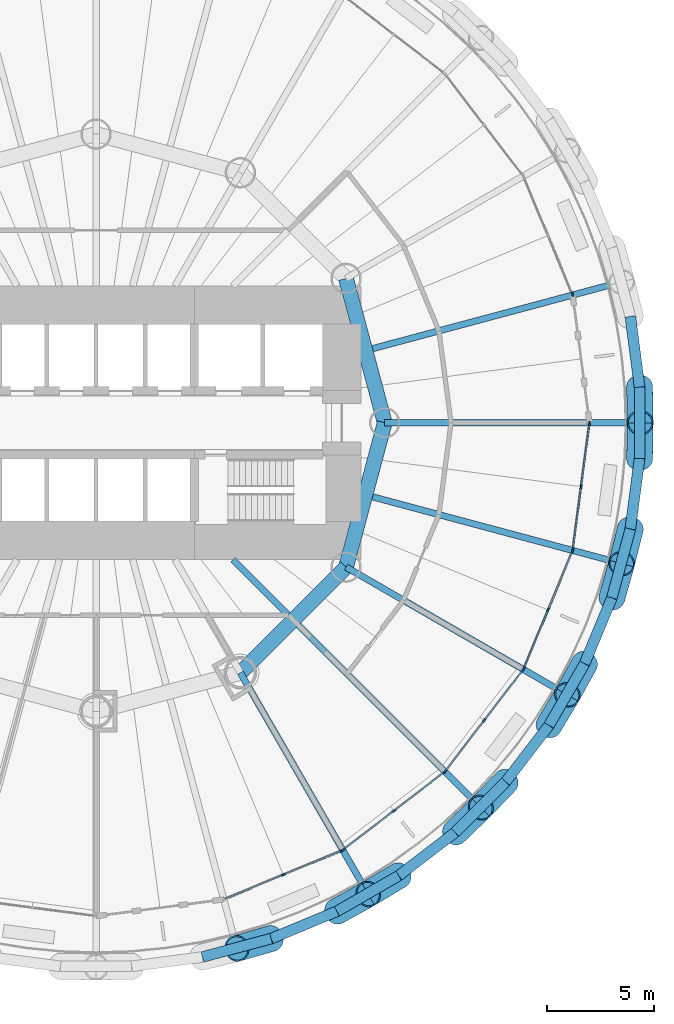
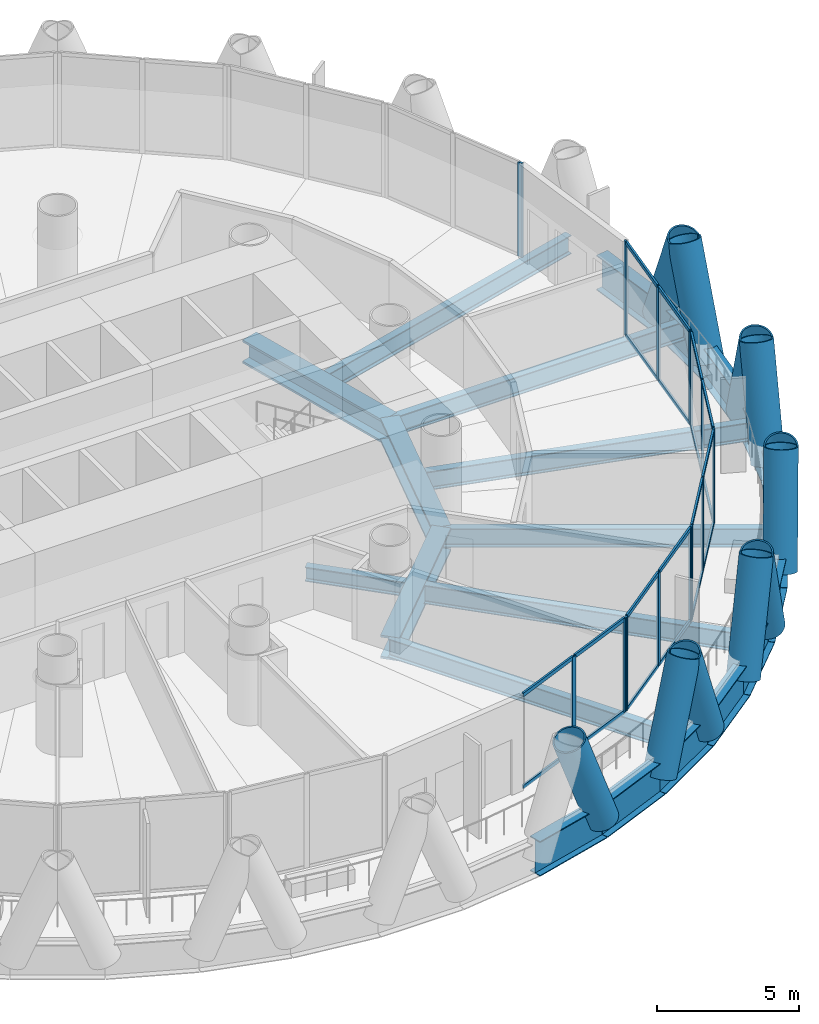
# One storey, part 4 of 16: 46 members, 22 beams, 6 elements without a shape of their own.
"""IFC4 building model written with IfcOpenShell, lengths in metres."""

from ifc_helpers import new_model, si_unit, direction, frame, origin, origin_2d, place, context, subcontext, project, spatial, rectangle, hollow_circle, i_section, extrude, material, material_profile, profile_set, type_object, element, aggregate, save


model = new_model("IFC4")

# Units and contexts
model_context = context("Model", 3, precision=1e-05, world=origin(), true_north=direction((0.0, 1.0)))
body_context = subcontext(model_context, "Body", "Model", "MODEL_VIEW")
ifc_project = project(units=[si_unit("LENGTHUNIT", "METRE"), si_unit("AREAUNIT", "SQUARE_METRE"), si_unit("VOLUMEUNIT", "CUBIC_METRE"), si_unit("PLANEANGLEUNIT", "RADIAN"), si_unit("MASSUNIT", "GRAM", prefix="KILO")], contexts=[model_context])

# Site, building, storey
site_placement = place(None, origin())
site = spatial("IfcSite", under=ifc_project, at=site_placement, CompositionType="ELEMENT")
building_placement = place(site_placement, origin())
building = spatial("IfcBuilding", under=site, at=building_placement, Name="Qaws Media Tower", CompositionType="ELEMENT")
storey_placement = place(building_placement, frame((0.0, 0.0, 89.0)))
storey = spatial("IfcBuildingStorey", under=building, at=storey_placement, Name="L19", CompositionType="ELEMENT", Elevation=89.0)

# Curtain wall, member
ifc_material_1 = material(Name="Aluminium and clear glass", Category="aluminium")
curtain_wall_type = type_object("IfcCurtainWallType", Name="Unitised curtain wall CW-A", PredefinedType="NOTDEFINED", material=ifc_material_1)
curtain_wall_1_placement = place(storey_placement, origin())
curtain_wall_1 = element("IfcCurtainWall", 1, at=curtain_wall_1_placement, inside=storey, type_object=curtain_wall_type, Name="CWA curtain wall L19-02", PredefinedType="NOTDEFINED")
ifc_material_2 = material(Name="Aluminium mullion", Category="aluminium")
ifc_material_profile_1 = material_profile(ifc_material_2, rectangle(XDim=0.080078125, YDim=0.199951171875, at=origin_2d()), Name="80x200")
ifc_profile_set_1 = profile_set([ifc_material_profile_1], Name="Aluminium mullion")
member_type_1 = type_object("IfcMemberType", Name="Curtain wall mullion 80x200", PredefinedType="MULLION", material=ifc_profile_set_1)
member_1_placement = place(storey_placement, frame((82.2734375, 56.00927734375, 0.0), z_axis=(0.0, 0.0, 1.0), x_axis=(-0.923879558466, -0.382683369704, 0.0)))
member_1 = element("IfcMember", 2, at=member_1_placement, type_object=member_type_1, Name="CWA mullion 1", PredefinedType="MULLION", context=body_context, shape_type="SweptSolid", body=[
    extrude(rectangle(XDim=0.080078125, YDim=0.199951171875, at=origin_2d()), origin(), (0.0, 0.0, 1.0), 4.0400390625),
])
aggregate(curtain_wall_1, [member_1])

# Curtain wall, members
curtain_wall_2_placement = place(storey_placement, origin())
curtain_wall_2 = element("IfcCurtainWall", 3, at=curtain_wall_2_placement, inside=storey, type_object=curtain_wall_type, Name="CWA curtain wall L19-20", PredefinedType="NOTDEFINED")
member_2_placement = place(storey_placement, frame((68.7548828125, 28.86376953125, 0.0), z_axis=(0.0, 0.0, 1.0), x_axis=(-0.382683369704, 0.923879558466, 0.0)))
member_2 = element("IfcMember", 4, at=member_2_placement, type_object=member_type_1, Name="CWA mullion 2", PredefinedType="MULLION", context=body_context, shape_type="SweptSolid", body=[
    extrude(rectangle(XDim=0.080078125, YDim=0.199951171875, at=origin_2d()), origin(), (0.0, 0.0, 1.0), 4.0400390625),
])
member_3_placement = place(storey_placement, frame((71.50048828125, 30.001220703125, 0.0), z_axis=(0.0, 0.0, 1.0), x_axis=(-0.382683369704, 0.923879558466, 0.0)))
member_3 = element("IfcMember", 5, at=member_3_placement, type_object=member_type_1, Name="CWA mullion 3", PredefinedType="MULLION", context=body_context, shape_type="SweptSolid", body=[
    extrude(rectangle(XDim=0.080078125, YDim=0.199951171875, at=origin_2d()), origin(), (0.0, 0.0, 1.0), 4.0400390625),
])

curtain_wall_3_placement = place(storey_placement, origin())
curtain_wall_3 = element("IfcCurtainWall", 6, at=curtain_wall_3_placement, inside=storey, type_object=curtain_wall_type, Name="CWA curtain wall L19-21", PredefinedType="NOTDEFINED")
member_4_placement = place(storey_placement, frame((71.5693359375, 30.040771484375, 0.0), z_axis=(0.0, 0.0, 1.0), x_axis=(-0.608761404459, 0.793353359129, 0.0)))
member_4 = element("IfcMember", 7, at=member_4_placement, type_object=member_type_1, Name="CWA mullion 1", PredefinedType="MULLION", context=body_context, shape_type="SweptSolid", body=[
    extrude(rectangle(XDim=0.080078125, YDim=0.199951171875, at=origin_2d()), origin(), (0.0, 0.0, 1.0), 4.0400390625),
])
member_5_placement = place(storey_placement, frame((73.927001953125, 31.85009765625, 0.0), z_axis=(0.0, 0.0, 1.0), x_axis=(-0.608761404459, 0.793353359129, 0.0)))
member_5 = element("IfcMember", 8, at=member_5_placement, type_object=member_type_1, Name="CWA mullion 2", PredefinedType="MULLION", context=body_context, shape_type="SweptSolid", body=[
    extrude(rectangle(XDim=0.080078125, YDim=0.199951171875, at=origin_2d()), origin(), (0.0, 0.0, 1.0), 4.0400390625),
])
member_6_placement = place(storey_placement, frame((76.28466796875, 33.6591796875, 0.0), z_axis=(0.0, 0.0, 1.0), x_axis=(-0.608761404459, 0.793353359129, 0.0)))
member_6 = element("IfcMember", 9, at=member_6_placement, type_object=member_type_1, Name="CWA mullion 3", PredefinedType="MULLION", context=body_context, shape_type="SweptSolid", body=[
    extrude(rectangle(XDim=0.080078125, YDim=0.199951171875, at=origin_2d()), origin(), (0.0, 0.0, 1.0), 4.0400390625),
])

curtain_wall_4_placement = place(storey_placement, origin())
curtain_wall_4 = element("IfcCurtainWall", 10, at=curtain_wall_4_placement, inside=storey, type_object=curtain_wall_type, Name="CWA curtain wall L19-22", PredefinedType="NOTDEFINED")
member_7_placement = place(storey_placement, frame((76.3408203125, 33.71533203125, 0.0), z_axis=(0.0, 0.0, 1.0), x_axis=(-0.793353359129, 0.608761404459, 0.0)))
member_7 = element("IfcMember", 11, at=member_7_placement, type_object=member_type_1, Name="CWA mullion 1", PredefinedType="MULLION", context=body_context, shape_type="SweptSolid", body=[
    extrude(rectangle(XDim=0.080078125, YDim=0.199951171875, at=origin_2d()), origin(), (0.0, 0.0, 1.0), 4.0400390625),
])
member_8_placement = place(storey_placement, frame((78.14990234375, 36.072998046875, 0.0), z_axis=(0.0, 0.0, 1.0), x_axis=(-0.793353359129, 0.608761404459, 0.0)))
member_8 = element("IfcMember", 12, at=member_8_placement, type_object=member_type_1, Name="CWA mullion 2", PredefinedType="MULLION", context=body_context, shape_type="SweptSolid", body=[
    extrude(rectangle(XDim=0.080078125, YDim=0.199951171875, at=origin_2d()), origin(), (0.0, 0.0, 1.0), 4.0400390625),
])
member_9_placement = place(storey_placement, frame((79.959228515625, 38.4306640625, 0.0), z_axis=(0.0, 0.0, 1.0), x_axis=(-0.793353359129, 0.608761404459, 0.0)))
member_9 = element("IfcMember", 13, at=member_9_placement, type_object=member_type_1, Name="CWA mullion 3", PredefinedType="MULLION", context=body_context, shape_type="SweptSolid", body=[
    extrude(rectangle(XDim=0.080078125, YDim=0.199951171875, at=origin_2d()), origin(), (0.0, 0.0, 1.0), 4.0400390625),
])

curtain_wall_5_placement = place(storey_placement, origin())
curtain_wall_5 = element("IfcCurtainWall", 14, at=curtain_wall_5_placement, inside=storey, type_object=curtain_wall_type, Name="CWA curtain wall L19-23", PredefinedType="NOTDEFINED")
member_10_placement = place(storey_placement, frame((79.998779296875, 38.49951171875, 0.0), z_axis=(0.0, 0.0, 1.0), x_axis=(-0.923879558466, 0.382683369704, 0.0)))
member_10 = element("IfcMember", 15, at=member_10_placement, type_object=member_type_1, Name="CWA mullion 1", PredefinedType="MULLION", context=body_context, shape_type="SweptSolid", body=[
    extrude(rectangle(XDim=0.080078125, YDim=0.199951171875, at=origin_2d()), origin(), (0.0, 0.0, 1.0), 4.0400390625),
])
member_11_placement = place(storey_placement, frame((81.13623046875, 41.2451171875, 0.0), z_axis=(0.0, 0.0, 1.0), x_axis=(-0.923879558466, 0.382683369704, 0.0)))
member_11 = element("IfcMember", 16, at=member_11_placement, type_object=member_type_1, Name="CWA mullion 2", PredefinedType="MULLION", context=body_context, shape_type="SweptSolid", body=[
    extrude(rectangle(XDim=0.080078125, YDim=0.199951171875, at=origin_2d()), origin(), (0.0, 0.0, 1.0), 4.0400390625),
])
member_12_placement = place(storey_placement, frame((82.2734375, 43.99072265625, 0.0), z_axis=(0.0, 0.0, 1.0), x_axis=(-0.923879558466, 0.382683369704, 0.0)))
member_12 = element("IfcMember", 17, at=member_12_placement, type_object=member_type_1, Name="CWA mullion 3", PredefinedType="MULLION", context=body_context, shape_type="SweptSolid", body=[
    extrude(rectangle(XDim=0.080078125, YDim=0.199951171875, at=origin_2d()), origin(), (0.0, 0.0, 1.0), 4.0400390625),
])

curtain_wall_6_placement = place(storey_placement, origin())
curtain_wall_6 = element("IfcCurtainWall", 18, at=curtain_wall_6_placement, inside=storey, type_object=curtain_wall_type, Name="CWA curtain wall L19-24", PredefinedType="NOTDEFINED")
member_13_placement = place(storey_placement, frame((82.2939453125, 44.0673828125, 0.0), z_axis=(0.0, 0.0, 1.0), x_axis=(-0.991444850569, 0.130526274293, 0.0)))
member_13 = element("IfcMember", 19, at=member_13_placement, type_object=member_type_1, Name="CWA mullion 1", PredefinedType="MULLION", context=body_context, shape_type="SweptSolid", body=[
    extrude(rectangle(XDim=0.080078125, YDim=0.199951171875, at=origin_2d()), origin(), (0.0, 0.0, 1.0), 4.0400390625),
])
member_14_placement = place(storey_placement, frame((82.681884765625, 47.013916015625, 0.0), z_axis=(0.0, 0.0, 1.0), x_axis=(-0.991444850569, 0.130526274293, 0.0)))
member_14 = element("IfcMember", 20, at=member_14_placement, type_object=member_type_1, Name="CWA mullion 2", PredefinedType="MULLION", context=body_context, shape_type="SweptSolid", body=[
    extrude(rectangle(XDim=0.080078125, YDim=0.199951171875, at=origin_2d()), origin(), (0.0, 0.0, 1.0), 4.0400390625),
])
member_15_placement = place(storey_placement, frame((83.06982421875, 49.96044921875, 0.0), z_axis=(0.0, 0.0, 1.0), x_axis=(-0.991444850569, 0.130526274293, 0.0)))
member_15 = element("IfcMember", 21, at=member_15_placement, type_object=member_type_1, Name="CWA mullion 3", PredefinedType="MULLION", context=body_context, shape_type="SweptSolid", body=[
    extrude(rectangle(XDim=0.080078125, YDim=0.199951171875, at=origin_2d()), origin(), (0.0, 0.0, 1.0), 4.0400390625),
])

# Member
ifc_material_3 = material(Name="Aluminium transom", Category="aluminium")
ifc_material_profile_2 = material_profile(ifc_material_3, rectangle(XDim=0.080078125, YDim=0.159912109375, at=origin_2d()), Name="80x160")
ifc_profile_set_2 = profile_set([ifc_material_profile_2], Name="Aluminium transom")
member_type_2 = type_object("IfcMemberType", Name="Curtain wall transom 80x160", PredefinedType="USERDEFINED", material=ifc_profile_set_2)
member_16_placement = place(storey_placement, frame((66.046142578125, 27.741943359375, 0.0400390625), z_axis=(0.923884105755, 0.382672391391, 0.0), x_axis=(-0.382672391391, 0.923884105755, 0.0)))
member_16 = element("IfcMember", 22, at=member_16_placement, type_object=member_type_2, Name="CWA transom 1.1", ObjectType="TRANSOM", PredefinedType="USERDEFINED", context=body_context, shape_type="SweptSolid", body=[
    extrude(rectangle(XDim=0.080078125, YDim=0.159912109375, at=origin_2d()), origin(), (0.0, 0.0, 1.0), 2.89208984375),
])

member_17_placement = place(storey_placement, frame((66.046142578125, 27.741943359375, 4.0), z_axis=(0.923884105755, 0.382672391391, 0.0), x_axis=(-0.382672391391, 0.923884105755, 0.0)))
member_17 = element("IfcMember", 23, at=member_17_placement, type_object=member_type_2, Name="CWA transom 1.2", ObjectType="TRANSOM", PredefinedType="USERDEFINED", context=body_context, shape_type="SweptSolid", body=[
    extrude(rectangle(XDim=0.080078125, YDim=0.159912109375, at=origin_2d()), origin(), (0.0, 0.0, 1.0), 2.89208984375),
])

member_18_placement = place(storey_placement, frame((68.791748046875, 28.879150390625, 0.0400390625), z_axis=(0.923884105755, 0.382672391391, 0.0), x_axis=(-0.382672391391, 0.923884105755, 0.0)))
member_18 = element("IfcMember", 24, at=member_18_placement, type_object=member_type_2, Name="CWA transom 2.1", ObjectType="TRANSOM", PredefinedType="USERDEFINED", context=body_context, shape_type="SweptSolid", body=[
    extrude(rectangle(XDim=0.080078125, YDim=0.159912109375, at=origin_2d()), origin(), (0.0, 0.0, 1.0), 2.89208984375),
])

member_19_placement = place(storey_placement, frame((68.791748046875, 28.879150390625, 4.0), z_axis=(0.923884105755, 0.382672391391, 0.0), x_axis=(-0.382672391391, 0.923884105755, 0.0)))
member_19 = element("IfcMember", 25, at=member_19_placement, type_object=member_type_2, Name="CWA transom 2.2", ObjectType="TRANSOM", PredefinedType="USERDEFINED", context=body_context, shape_type="SweptSolid", body=[
    extrude(rectangle(XDim=0.080078125, YDim=0.159912109375, at=origin_2d()), origin(), (0.0, 0.0, 1.0), 2.89208984375),
])

aggregate(curtain_wall_2, [member_2, member_3, member_16, member_17, member_18, member_19])

member_20_placement = place(storey_placement, frame((71.60107421875, 30.065185546875, 0.0400390625), z_axis=(0.793335876774, 0.608784187232, 0.0), x_axis=(-0.608784187232, 0.793335876774, 0.0)))
member_20 = element("IfcMember", 26, at=member_20_placement, type_object=member_type_2, Name="CWA transom 1.1", ObjectType="TRANSOM", PredefinedType="USERDEFINED", context=body_context, shape_type="SweptSolid", body=[
    extrude(rectangle(XDim=0.080078125, YDim=0.159912109375, at=origin_2d()), origin(), (0.0, 0.0, 1.0), 2.891845703125),
])

member_21_placement = place(storey_placement, frame((71.60107421875, 30.065185546875, 4.0), z_axis=(0.793335876774, 0.608784187232, 0.0), x_axis=(-0.608784187232, 0.793335876774, 0.0)))
member_21 = element("IfcMember", 27, at=member_21_placement, type_object=member_type_2, Name="CWA transom 1.2", ObjectType="TRANSOM", PredefinedType="USERDEFINED", context=body_context, shape_type="SweptSolid", body=[
    extrude(rectangle(XDim=0.080078125, YDim=0.159912109375, at=origin_2d()), origin(), (0.0, 0.0, 1.0), 2.891845703125),
])

member_22_placement = place(storey_placement, frame((73.958740234375, 31.874267578125, 0.0400390625), z_axis=(0.793335876774, 0.608784187232, 0.0), x_axis=(-0.608784187232, 0.793335876774, 0.0)))
member_22 = element("IfcMember", 28, at=member_22_placement, type_object=member_type_2, Name="CWA transom 2.1", ObjectType="TRANSOM", PredefinedType="USERDEFINED", context=body_context, shape_type="SweptSolid", body=[
    extrude(rectangle(XDim=0.080078125, YDim=0.159912109375, at=origin_2d()), origin(), (0.0, 0.0, 1.0), 2.891845703125),
])

member_23_placement = place(storey_placement, frame((73.958740234375, 31.874267578125, 4.0), z_axis=(0.793335876774, 0.608784187232, 0.0), x_axis=(-0.608784187232, 0.793335876774, 0.0)))
member_23 = element("IfcMember", 29, at=member_23_placement, type_object=member_type_2, Name="CWA transom 2.2", ObjectType="TRANSOM", PredefinedType="USERDEFINED", context=body_context, shape_type="SweptSolid", body=[
    extrude(rectangle(XDim=0.080078125, YDim=0.159912109375, at=origin_2d()), origin(), (0.0, 0.0, 1.0), 2.891845703125),
])

aggregate(curtain_wall_3, [member_4, member_5, member_6, member_20, member_21, member_22, member_23])

member_24_placement = place(storey_placement, frame((76.365234375, 33.7470703125, 0.0400390625), z_axis=(0.608784187232, 0.793335876774, 0.0), x_axis=(-0.793335876774, 0.608784187232, 0.0)))
member_24 = element("IfcMember", 30, at=member_24_placement, type_object=member_type_2, Name="CWA transom 1.1", ObjectType="TRANSOM", PredefinedType="USERDEFINED", context=body_context, shape_type="SweptSolid", body=[
    extrude(rectangle(XDim=0.080078125, YDim=0.159912109375, at=origin_2d()), origin(), (0.0, 0.0, 1.0), 2.891845703125),
])

member_25_placement = place(storey_placement, frame((76.365234375, 33.7470703125, 4.0), z_axis=(0.608784187232, 0.793335876774, 0.0), x_axis=(-0.793335876774, 0.608784187232, 0.0)))
member_25 = element("IfcMember", 31, at=member_25_placement, type_object=member_type_2, Name="CWA transom 1.2", ObjectType="TRANSOM", PredefinedType="USERDEFINED", context=body_context, shape_type="SweptSolid", body=[
    extrude(rectangle(XDim=0.080078125, YDim=0.159912109375, at=origin_2d()), origin(), (0.0, 0.0, 1.0), 2.891845703125),
])

member_26_placement = place(storey_placement, frame((78.17431640625, 36.104736328125, 0.0400390625), z_axis=(0.608784187232, 0.793335876774, 0.0), x_axis=(-0.793335876774, 0.608784187232, 0.0)))
member_26 = element("IfcMember", 32, at=member_26_placement, type_object=member_type_2, Name="CWA transom 2.1", ObjectType="TRANSOM", PredefinedType="USERDEFINED", context=body_context, shape_type="SweptSolid", body=[
    extrude(rectangle(XDim=0.080078125, YDim=0.159912109375, at=origin_2d()), origin(), (0.0, 0.0, 1.0), 2.891845703125),
])

member_27_placement = place(storey_placement, frame((78.17431640625, 36.104736328125, 4.0), z_axis=(0.608784187232, 0.793335876774, 0.0), x_axis=(-0.793335876774, 0.608784187232, 0.0)))
member_27 = element("IfcMember", 33, at=member_27_placement, type_object=member_type_2, Name="CWA transom 2.2", ObjectType="TRANSOM", PredefinedType="USERDEFINED", context=body_context, shape_type="SweptSolid", body=[
    extrude(rectangle(XDim=0.080078125, YDim=0.159912109375, at=origin_2d()), origin(), (0.0, 0.0, 1.0), 2.891845703125),
])

aggregate(curtain_wall_4, [member_7, member_8, member_9, member_24, member_25, member_26, member_27])

member_28_placement = place(storey_placement, frame((80.01416015625, 38.536376953125, 0.0400390625), z_axis=(0.382672391391, 0.923884105755, 0.0), x_axis=(-0.923884105755, 0.382672391391, 0.0)))
member_28 = element("IfcMember", 34, at=member_28_placement, type_object=member_type_2, Name="CWA transom 1.1", ObjectType="TRANSOM", PredefinedType="USERDEFINED", context=body_context, shape_type="SweptSolid", body=[
    extrude(rectangle(XDim=0.080078125, YDim=0.159912109375, at=origin_2d()), origin(), (0.0, 0.0, 1.0), 2.89208984375),
])

member_29_placement = place(storey_placement, frame((80.01416015625, 38.536376953125, 4.0), z_axis=(0.382672391391, 0.923884105755, 0.0), x_axis=(-0.923884105755, 0.382672391391, 0.0)))
member_29 = element("IfcMember", 35, at=member_29_placement, type_object=member_type_2, Name="CWA transom 1.2", ObjectType="TRANSOM", PredefinedType="USERDEFINED", context=body_context, shape_type="SweptSolid", body=[
    extrude(rectangle(XDim=0.080078125, YDim=0.159912109375, at=origin_2d()), origin(), (0.0, 0.0, 1.0), 2.89208984375),
])

member_30_placement = place(storey_placement, frame((81.1513671875, 41.281982421875, 0.0400390625), z_axis=(0.382672391391, 0.923884105755, 0.0), x_axis=(-0.923884105755, 0.382672391391, 0.0)))
member_30 = element("IfcMember", 36, at=member_30_placement, type_object=member_type_2, Name="CWA transom 2.1", ObjectType="TRANSOM", PredefinedType="USERDEFINED", context=body_context, shape_type="SweptSolid", body=[
    extrude(rectangle(XDim=0.080078125, YDim=0.159912109375, at=origin_2d()), origin(), (0.0, 0.0, 1.0), 2.89208984375),
])

member_31_placement = place(storey_placement, frame((81.1513671875, 41.281982421875, 4.0), z_axis=(0.382672391391, 0.923884105755, 0.0), x_axis=(-0.923884105755, 0.382672391391, 0.0)))
member_31 = element("IfcMember", 37, at=member_31_placement, type_object=member_type_2, Name="CWA transom 2.2", ObjectType="TRANSOM", PredefinedType="USERDEFINED", context=body_context, shape_type="SweptSolid", body=[
    extrude(rectangle(XDim=0.080078125, YDim=0.159912109375, at=origin_2d()), origin(), (0.0, 0.0, 1.0), 2.89208984375),
])

aggregate(curtain_wall_5, [member_10, member_11, member_12, member_28, member_29, member_30, member_31])

member_32_placement = place(storey_placement, frame((82.299072265625, 44.107177734375, 0.0400390625), z_axis=(0.130609572784, 0.991433880547, 0.0), x_axis=(-0.991433880547, 0.130609572784, 0.0)))
member_32 = element("IfcMember", 38, at=member_32_placement, type_object=member_type_2, Name="CWA transom 1.1", ObjectType="TRANSOM", PredefinedType="USERDEFINED", context=body_context, shape_type="SweptSolid", body=[
    extrude(rectangle(XDim=0.080078125, YDim=0.159912109375, at=origin_2d()), origin(), (0.0, 0.0, 1.0), 2.8916015625),
])

member_33_placement = place(storey_placement, frame((82.299072265625, 44.107177734375, 4.0), z_axis=(0.130609572784, 0.991433880547, 0.0), x_axis=(-0.991433880547, 0.130609572784, 0.0)))
member_33 = element("IfcMember", 39, at=member_33_placement, type_object=member_type_2, Name="CWA transom 1.2", ObjectType="TRANSOM", PredefinedType="USERDEFINED", context=body_context, shape_type="SweptSolid", body=[
    extrude(rectangle(XDim=0.080078125, YDim=0.159912109375, at=origin_2d()), origin(), (0.0, 0.0, 1.0), 2.8916015625),
])

member_34_placement = place(storey_placement, frame((82.68701171875, 47.053466796875, 0.0400390625), z_axis=(0.130515659015, 0.99144624804, 0.0), x_axis=(-0.99144624804, 0.130515659015, 0.0)))
member_34 = element("IfcMember", 40, at=member_34_placement, type_object=member_type_2, Name="CWA transom 2.1", ObjectType="TRANSOM", PredefinedType="USERDEFINED", context=body_context, shape_type="SweptSolid", body=[
    extrude(rectangle(XDim=0.080078125, YDim=0.159912109375, at=origin_2d()), origin(), (0.0, 0.0, 1.0), 2.891845703125),
])

member_35_placement = place(storey_placement, frame((82.68701171875, 47.053466796875, 4.0), z_axis=(0.130515659015, 0.99144624804, 0.0), x_axis=(-0.99144624804, 0.130515659015, 0.0)))
member_35 = element("IfcMember", 41, at=member_35_placement, type_object=member_type_2, Name="CWA transom 2.2", ObjectType="TRANSOM", PredefinedType="USERDEFINED", context=body_context, shape_type="SweptSolid", body=[
    extrude(rectangle(XDim=0.080078125, YDim=0.159912109375, at=origin_2d()), origin(), (0.0, 0.0, 1.0), 2.891845703125),
])

aggregate(curtain_wall_6, [member_13, member_14, member_15, member_32, member_33, member_34, member_35])

# Members
ifc_material_4 = material(Name="Steel S460", Category="steel")
ifc_material_profile_3 = material_profile(ifc_material_4, hollow_circle(Radius=0.609619140625, WallThickness=0.06005859375, at=origin_2d()), Name="CHS 1219x60")
ifc_profile_set_3 = profile_set([ifc_material_profile_3], Name="Steel S460")
member_type_3 = type_object("IfcMemberType", Name="Diagrid member CHS 1219x60", PredefinedType="USERDEFINED", material=ifc_profile_set_3)
for number, where, z_axis, x_axis, name in (
    (42, (85.42041015625, 51.666259765625, -0.909912109375), (0.006537785843, -0.368763540313, 0.929500246741), (0.999842879422, 0.017726152148, 0.0), "DG1 diagrid L19 B01"),
    (43, (71.267333984375, 27.152099609375, -0.909912109375), (0.322620613661, 0.178735386031, 0.929499651114), (-0.484610207242, 0.874730213858, 0.0), "DG1 diagrid L19 A20"),
    (44, (68.188720703125, 25.876953125, -0.909912109375), (-0.354500758165, -0.101741339373, 0.929504121736), (0.275862541191, -0.961197096525, 0.0), "DG1 diagrid L19 B20"),
    (45, (76.796875, 30.846923828125, -0.909912109375), (0.265351429728, 0.256111948057, 0.929513468866), (-0.694468998313, 0.719522626734, 0.0), "DG1 diagrid L19 A21"),
):
    element("IfcMember", number, at=place(storey_placement, frame(where, z_axis=z_axis, x_axis=x_axis)), inside=storey, type_object=member_type_3, Name=name, ObjectType="DIAGRID", PredefinedType="USERDEFINED", context=body_context, shape_type="SweptSolid", body=[
        extrude(hollow_circle(Radius=0.609619140625, WallThickness=0.06005859375, at=origin_2d()), origin(), (0.0, 0.0, 1.0), 4.5185546875),
    ])
for number, where, z_axis, x_axis, name in (
    (46, (74.153076171875, 28.818359375, -0.909912109375), (-0.316036004254, -0.190032249438, 0.929520837953), (0.515314314631, -0.857001258538, 0.0), "DG1 diagrid L19 B21"),
    (47, (81.181640625, 35.846923828125, -0.909912109375), (0.190032249438, 0.316036004254, 0.929520837953), (-0.857001258538, 0.515314314631, 0.0), "DG1 diagrid L19 A22"),
):
    element("IfcMember", number, at=place(storey_placement, frame(where, z_axis=z_axis, x_axis=x_axis)), inside=storey, type_object=member_type_3, Name=name, ObjectType="DIAGRID", PredefinedType="USERDEFINED", context=body_context, shape_type="SweptSolid", body=[
        extrude(hollow_circle(Radius=0.609619140625, WallThickness=0.06005859375, at=origin_2d()), origin(), (0.0, 0.0, 1.0), 4.518310546875),
    ])
for number, where, z_axis, x_axis, name in (
    (48, (79.153076171875, 33.203125, -0.909912109375), (-0.256111948057, -0.265351429728, 0.929513468866), (0.719522626734, -0.694468998313, 0.0), "DG1 diagrid L19 B22"),
    (49, (84.123046875, 41.811279296875, -0.909912109375), (0.101741339373, 0.354500758165, 0.929504121736), (-0.961197096525, 0.275862541191, 0.0), "DG1 diagrid L19 A23"),
    (50, (82.847900390625, 38.732666015625, -0.909912109375), (-0.178735386031, -0.322620613661, 0.929499651114), (0.874730213858, -0.484610207242, 0.0), "DG1 diagrid L19 B23"),
    (51, (85.42041015625, 48.333740234375, -0.909912109375), (0.006537785843, 0.368763540313, 0.929500246741), (-0.999842879422, 0.017726152148, 0.0), "DG1 diagrid L19 A24"),
    (52, (84.985595703125, 45.030029296875, -0.909912109375), (-0.089152749117, -0.357853731759, 0.929511965491), (0.970340396506, -0.241742662575, 0.0), "DG1 diagrid L19 B24"),
):
    element("IfcMember", number, at=place(storey_placement, frame(where, z_axis=z_axis, x_axis=x_axis)), inside=storey, type_object=member_type_3, Name=name, ObjectType="DIAGRID", PredefinedType="USERDEFINED", context=body_context, shape_type="SweptSolid", body=[
        extrude(hollow_circle(Radius=0.609619140625, WallThickness=0.06005859375, at=origin_2d()), origin(), (0.0, 0.0, 1.0), 4.5185546875),
    ])

# Beams
ifc_material_5 = material(Name="Steel S460", Category="steel")
ifc_material_profile_4 = material_profile(ifc_material_5, i_section(OverallWidth=0.5, OverallDepth=1.5, WebThickness=0.02001953125, FlangeThickness=0.0400390625, at=origin_2d()), Name="PG 1500x500")
ifc_profile_set_4 = profile_set([ifc_material_profile_4], Name="Steel S460")
beam_type_1 = type_object("IfcBeamType", Name="Edge ring beam PG 1500x500", PredefinedType="BEAM", material=ifc_profile_set_4)
for number, where, z_axis, x_axis, name in (
    (53, (85.42041015625, 51.666259765625, -0.909912109375), (-0.130488627311, 0.991449806164, 0.0), (-0.991449806164, -0.130488627311, 0.0), "RB4 edge ring beam L19-01"),
    (54, (64.969970703125, 25.014404296875, -0.909912109375), (0.965919271608, 0.258843506265, 0.0), (-0.258843506265, 0.965919271608, 0.0), "RB4 edge ring beam L19-38"),
    (55, (68.188720703125, 25.876953125, -0.909912109375), (0.923885568465, 0.38266885996, 0.0), (-0.38266885996, 0.923885568465, 0.0), "RB4 edge ring beam L19-39"),
    (56, (71.267333984375, 27.152099609375, -0.909912109375), (0.866002566612, 0.500039553057, 0.0), (-0.500039553057, 0.866002566612, 0.0), "RB4 edge ring beam L19-40"),
    (57, (74.153076171875, 28.818359375, -0.909912109375), (0.793366925649, 0.608743723817, 0.0), (-0.608743723817, 0.793366925649, 0.0), "RB4 edge ring beam L19-41"),
    (58, (76.796875, 30.846923828125, -0.909912109375), (0.707106781187, 0.707106781187, 0.0), (-0.707106781187, 0.707106781187, 0.0), "RB4 edge ring beam L19-42"),
    (59, (79.153076171875, 33.203125, -0.909912109375), (0.608743723817, 0.793366925649, 0.0), (-0.793366925649, 0.608743723817, 0.0), "RB4 edge ring beam L19-43"),
    (60, (81.181640625, 35.846923828125, -0.909912109375), (0.500039553057, 0.866002566612, 0.0), (-0.866002566612, 0.500039553057, 0.0), "RB4 edge ring beam L19-44"),
    (61, (82.847900390625, 38.732666015625, -0.909912109375), (0.38266885996, 0.923885568465, 0.0), (-0.923885568465, 0.38266885996, 0.0), "RB4 edge ring beam L19-45"),
    (62, (84.123046875, 41.811279296875, -0.909912109375), (0.258843506265, 0.965919271608, 0.0), (-0.965919271608, 0.258843506265, 0.0), "RB4 edge ring beam L19-46"),
    (63, (84.985595703125, 45.030029296875, -0.909912109375), (0.130488627311, 0.991449806164, 0.0), (-0.991449806164, 0.130488627311, 0.0), "RB4 edge ring beam L19-47"),
):
    element("IfcBeam", number, at=place(storey_placement, frame(where, z_axis=z_axis, x_axis=x_axis)), inside=storey, type_object=beam_type_1, Name=name, PredefinedType="BEAM", context=body_context, shape_type="SweptSolid", body=[
        extrude(i_section(OverallWidth=0.5, OverallDepth=1.5, WebThickness=0.02001953125, FlangeThickness=0.0400390625, at=origin_2d()), origin(), (0.0, 0.0, 1.0), 3.332275390625),
    ])
beam_1_placement = place(storey_placement, frame((85.42041015625, 48.333740234375, -0.909912109375), z_axis=(0.0, 1.0, 0.0), x_axis=(-1.0, 0.0, 0.0)))
element("IfcBeam", 64, at=beam_1_placement, inside=storey, type_object=beam_type_1, Name="RB4 edge ring beam L19-48", PredefinedType="BEAM", context=body_context, shape_type="SweptSolid", body=[
    extrude(i_section(OverallWidth=0.5, OverallDepth=1.5, WebThickness=0.02001953125, FlangeThickness=0.0400390625, at=origin_2d()), origin(), (0.0, 0.0, 1.0), 3.33251953125),
])
ifc_material_6 = material(Name="Steel S460", Category="steel")
ifc_material_profile_5 = material_profile(ifc_material_6, i_section(OverallWidth=0.699951171875, OverallDepth=1.0, WebThickness=0.034912109375, FlangeThickness=0.090087890625, at=origin_2d()), Name="PG 1000x700")
ifc_profile_set_5 = profile_set([ifc_material_profile_5], Name="Steel S460")
beam_type_2 = type_object("IfcBeamType", Name="Inner ring girder PG 1000x700", PredefinedType="BEAM", material=ifc_profile_set_5)
beam_2_placement = place(storey_placement, frame((73.5, 50.0, -0.659912109375), z_axis=(-0.258810593767, 0.965928090778, 0.0), x_axis=(-0.965928090778, -0.258810593767, 0.0)))
element("IfcBeam", 65, at=beam_2_placement, inside=storey, type_object=beam_type_2, Name="B3 inner ring beam L19 I01-I02", PredefinedType="BEAM", context=body_context, shape_type="SweptSolid", body=[
    extrude(i_section(OverallWidth=0.699951171875, OverallDepth=1.0, WebThickness=0.034912109375, FlangeThickness=0.090087890625, at=origin_2d()), origin(), (0.0, 0.0, 1.0), 6.988037109375),
])
beam_3_placement = place(storey_placement, frame((66.75, 38.30859375, -0.659912109375), z_axis=(0.707106781187, 0.707106781187, 0.0), x_axis=(-0.707106781187, 0.707106781187, 0.0)))
element("IfcBeam", 66, at=beam_3_placement, inside=storey, type_object=beam_type_2, Name="B3 inner ring beam L19 I11-I12", PredefinedType="BEAM", context=body_context, shape_type="SweptSolid", body=[
    extrude(i_section(OverallWidth=0.699951171875, OverallDepth=1.0, WebThickness=0.034912109375, FlangeThickness=0.090087890625, at=origin_2d()), origin(), (0.0, 0.0, 1.0), 6.98828125),
])
beam_4_placement = place(storey_placement, frame((71.69140625, 43.25, -0.659912109375), z_axis=(0.258810593767, 0.965928090778, 0.0), x_axis=(-0.965928090778, 0.258810593767, 0.0)))
element("IfcBeam", 67, at=beam_4_placement, inside=storey, type_object=beam_type_2, Name="B3 inner ring beam L19 I12-I01", PredefinedType="BEAM", context=body_context, shape_type="SweptSolid", body=[
    extrude(i_section(OverallWidth=0.699951171875, OverallDepth=1.0, WebThickness=0.034912109375, FlangeThickness=0.090087890625, at=origin_2d()), origin(), (0.0, 0.0, 1.0), 6.988037109375),
])
ifc_material_7 = material(Name="Steel S355", Category="steel")
ifc_material_profile_6 = material_profile(ifc_material_7, i_section(OverallWidth=0.304931640625, OverallDepth=0.6201171875, WebThickness=0.02099609375, FlangeThickness=0.0400390625, FilletRadius=0.027099609375, at=origin_2d()), Name="HE 600 M")
ifc_profile_set_6 = profile_set([ifc_material_profile_6], Name="Steel S355")
beam_type_3 = type_object("IfcBeamType", Name="Radial beam HE 600 M, core side", PredefinedType="BEAM", material=ifc_profile_set_6)
beam_5_placement = place(storey_placement, frame((66.39990234375, 43.60009765625, -0.469970703125), z_axis=(0.707106781187, -0.707106781187, 0.0), x_axis=(0.707106781187, 0.707106781187, 0.0)))
element("IfcBeam", 68, at=beam_5_placement, inside=storey, type_object=beam_type_3, Name="B2 radial beam L19 22", PredefinedType="BEAM", context=body_context, shape_type="SweptSolid", body=[
    extrude(i_section(OverallWidth=0.304931640625, OverallDepth=0.6201171875, WebThickness=0.02099609375, FlangeThickness=0.0400390625, FilletRadius=0.027099609375, at=origin_2d()), origin(), (0.0, 0.0, 1.0), 3.63916015625),
])
ifc_material_8 = material(Name="Steel S355", Category="steel")
ifc_material_profile_7 = material_profile(ifc_material_8, i_section(OverallWidth=0.300048828125, OverallDepth=0.800048828125, WebThickness=0.017578125, FlangeThickness=0.032958984375, FilletRadius=0.030029296875, at=origin_2d()), Name="HE 800 B")
ifc_profile_set_7 = profile_set([ifc_material_profile_7], Name="Steel S355")
beam_type_4 = type_object("IfcBeamType", Name="Radial beam HE 800 B", PredefinedType="BEAM", material=ifc_profile_set_7)
beam_6_placement = place(storey_placement, frame((73.5, 50.0, -0.56005859375), z_axis=(1.0, 0.0, 0.0), x_axis=(0.0, 1.0, 0.0)))
element("IfcBeam", 69, at=beam_6_placement, inside=storey, type_object=beam_type_4, Name="B1 radial beam L19 01", PredefinedType="BEAM", context=body_context, shape_type="SweptSolid", body=[
    extrude(i_section(OverallWidth=0.300048828125, OverallDepth=0.800048828125, WebThickness=0.017578125, FlangeThickness=0.032958984375, FilletRadius=0.030029296875, at=origin_2d()), origin(), (0.0, 0.0, 1.0), 11.92041015625),
])
beam_7_placement = place(storey_placement, frame((72.933837890625, 53.465576171875, -0.56005859375), z_axis=(0.9659236838, 0.258827040847, 0.0), x_axis=(-0.258827040847, 0.9659236838, 0.0)))
element("IfcBeam", 70, at=beam_7_placement, inside=storey, type_object=beam_type_4, Name="B1 radial beam L19 02", PredefinedType="BEAM", context=body_context, shape_type="SweptSolid", body=[
    extrude(i_section(OverallWidth=0.300048828125, OverallDepth=0.800048828125, WebThickness=0.017578125, FlangeThickness=0.032958984375, FilletRadius=0.030029296875, at=origin_2d()), origin(), (0.0, 0.0, 1.0), 12.0302734375),
])
beam_8_placement = place(storey_placement, frame((66.75, 38.30859375, -0.56005859375), z_axis=(0.500004934157, -0.866022555029, 0.0), x_axis=(0.866022555029, 0.500004934157, 0.0)))
element("IfcBeam", 71, at=beam_8_placement, inside=storey, type_object=beam_type_4, Name="B1 radial beam L19 21", PredefinedType="BEAM", context=body_context, shape_type="SweptSolid", body=[
    extrude(i_section(OverallWidth=0.300048828125, OverallDepth=0.800048828125, WebThickness=0.017578125, FlangeThickness=0.032958984375, FilletRadius=0.030029296875, at=origin_2d()), origin(), (0.0, 0.0, 1.0), 11.92041015625),
])
beam_9_placement = place(storey_placement, frame((69.46826171875, 40.53173828125, -0.56005859375), z_axis=(0.707106781187, -0.707106781187, 0.0), x_axis=(0.707106781187, 0.707106781187, 0.0)))
element("IfcBeam", 72, at=beam_9_placement, inside=storey, type_object=beam_type_4, Name="B1 radial beam L19 22", PredefinedType="BEAM", context=body_context, shape_type="SweptSolid", body=[
    extrude(i_section(OverallWidth=0.300048828125, OverallDepth=0.800048828125, WebThickness=0.017578125, FlangeThickness=0.032958984375, FilletRadius=0.030029296875, at=origin_2d()), origin(), (0.0, 0.0, 1.0), 12.030517578125),
])
beam_10_placement = place(storey_placement, frame((71.69140625, 43.25, -0.56005859375), z_axis=(0.866022555029, -0.500004934157, 0.0), x_axis=(0.500004934157, 0.866022555029, 0.0)))
element("IfcBeam", 73, at=beam_10_placement, inside=storey, type_object=beam_type_4, Name="B1 radial beam L19 23", PredefinedType="BEAM", context=body_context, shape_type="SweptSolid", body=[
    extrude(i_section(OverallWidth=0.300048828125, OverallDepth=0.800048828125, WebThickness=0.017578125, FlangeThickness=0.032958984375, FilletRadius=0.030029296875, at=origin_2d()), origin(), (0.0, 0.0, 1.0), 11.92041015625),
])
beam_11_placement = place(storey_placement, frame((72.933837890625, 46.534423828125, -0.56005859375), z_axis=(0.9659236838, -0.258827040847, 0.0), x_axis=(0.258827040847, 0.9659236838, 0.0)))
element("IfcBeam", 74, at=beam_11_placement, inside=storey, type_object=beam_type_4, Name="B1 radial beam L19 24", PredefinedType="BEAM", context=body_context, shape_type="SweptSolid", body=[
    extrude(i_section(OverallWidth=0.300048828125, OverallDepth=0.800048828125, WebThickness=0.017578125, FlangeThickness=0.032958984375, FilletRadius=0.030029296875, at=origin_2d()), origin(), (0.0, 0.0, 1.0), 12.0302734375),
])

save(model, "model.ifc")
